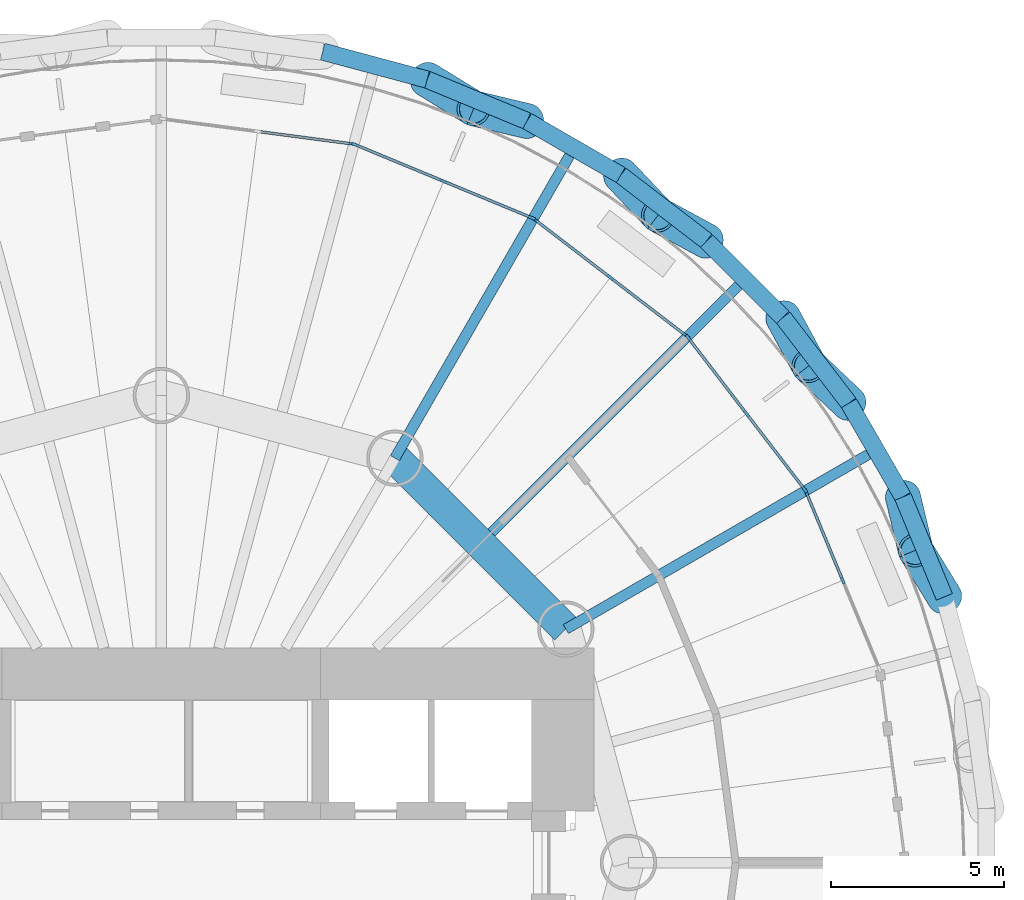
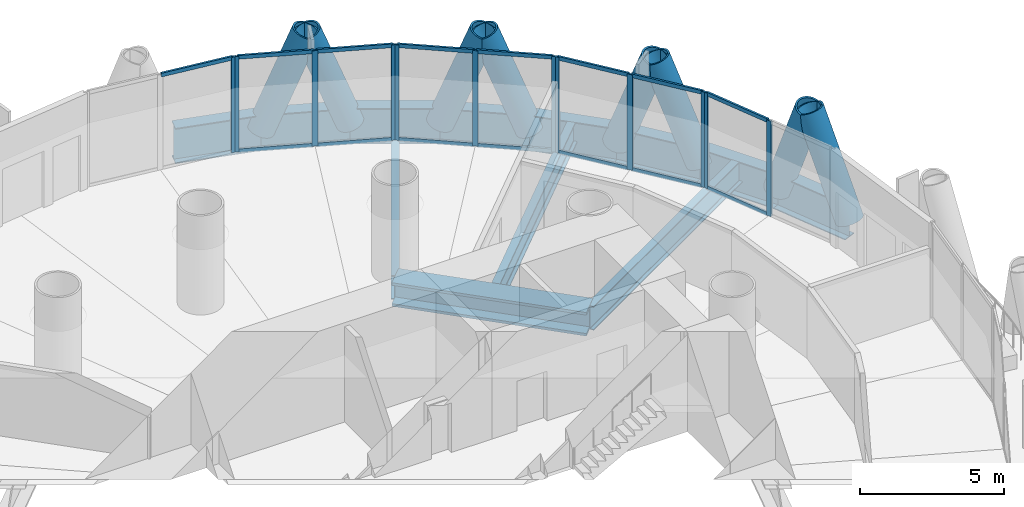
# One storey, part 7 of 15: 35 members, 12 beams, 5 elements without a shape of their own.
"""IFC4 building model written with IfcOpenShell, lengths in metres."""

from ifc_helpers import new_model, si_unit, direction, frame, origin, origin_2d, place, context, subcontext, project, spatial, rectangle, hollow_circle, i_section, extrude, material, material_profile, profile_set, type_object, element, aggregate, save


model = new_model("IFC4")

# Units and contexts
model_context = context("Model", 3, precision=1e-05, world=origin(), true_north=direction((0.0, 1.0)))
body_context = subcontext(model_context, "Body", "Model", "MODEL_VIEW")
ifc_project = project(units=[si_unit("LENGTHUNIT", "METRE"), si_unit("AREAUNIT", "SQUARE_METRE"), si_unit("VOLUMEUNIT", "CUBIC_METRE"), si_unit("PLANEANGLEUNIT", "RADIAN"), si_unit("MASSUNIT", "GRAM", prefix="KILO")], contexts=[model_context])

# Site, building, storey
site_placement = place(None, origin())
site = spatial("IfcSite", under=ifc_project, at=site_placement, CompositionType="ELEMENT")
building_placement = place(site_placement, origin())
building = spatial("IfcBuilding", under=site, at=building_placement, Name="Qaws Media Tower", CompositionType="ELEMENT")
storey_placement = place(building_placement, frame((0.0, 0.0, 198.199951171875)))
storey = spatial("IfcBuildingStorey", under=building, at=storey_placement, Name="L45", CompositionType="ELEMENT", Elevation=198.199951171875)

# Curtain wall, members
ifc_material_1 = material(Name="Aluminium and clear glass", Category="aluminium")
curtain_wall_type = type_object("IfcCurtainWallType", Name="Unitised curtain wall CW-C", PredefinedType="NOTDEFINED", material=ifc_material_1)
curtain_wall_1_placement = place(storey_placement, origin())
curtain_wall_1 = element("IfcCurtainWall", 1, at=curtain_wall_1_placement, inside=storey, type_object=curtain_wall_type, Name="CWC curtain wall L45-02", PredefinedType="NOTDEFINED")
ifc_material_2 = material(Name="Aluminium mullion", Category="aluminium")
ifc_material_profile_1 = material_profile(ifc_material_2, rectangle(XDim=0.080078125, YDim=0.199951171875, at=origin_2d()), Name="80x200")
ifc_profile_set_1 = profile_set([ifc_material_profile_1], Name="Aluminium mullion")
member_type_1 = type_object("IfcMemberType", Name="Curtain wall mullion 80x200", PredefinedType="MULLION", material=ifc_profile_set_1)
member_1_placement = place(storey_placement, frame((79.693359375, 58.1572265625, 0.0), z_axis=(0.0, 0.0, 1.0), x_axis=(-0.923879550051, -0.382683390022, 0.0)))
member_1 = element("IfcMember", 2, at=member_1_placement, type_object=member_type_1, Name="CWC mullion 2", PredefinedType="MULLION", context=body_context, shape_type="SweptSolid", body=[
    extrude(rectangle(XDim=0.080078125, YDim=0.199951171875, at=origin_2d()), origin(), (0.0, 0.0, 1.0), 4.0400390625),
])
member_2_placement = place(storey_placement, frame((78.634765625, 60.713134765625, 0.0), z_axis=(0.0, 0.0, 1.0), x_axis=(-0.923879550051, -0.382683390022, 0.0)))
member_2 = element("IfcMember", 3, at=member_2_placement, type_object=member_type_1, Name="CWC mullion 3", PredefinedType="MULLION", context=body_context, shape_type="SweptSolid", body=[
    extrude(rectangle(XDim=0.080078125, YDim=0.199951171875, at=origin_2d()), origin(), (0.0, 0.0, 1.0), 4.0400390625),
])

curtain_wall_2_placement = place(storey_placement, origin())
curtain_wall_2 = element("IfcCurtainWall", 4, at=curtain_wall_2_placement, inside=storey, type_object=curtain_wall_type, Name="CWC curtain wall L45-03", PredefinedType="NOTDEFINED")
member_3_placement = place(storey_placement, frame((78.59521484375, 60.78173828125, 0.0), z_axis=(0.0, 0.0, 1.0), x_axis=(-0.793353386998, -0.608761368139, 0.0)))
member_3 = element("IfcMember", 5, at=member_3_placement, type_object=member_type_1, Name="CWC mullion 1", PredefinedType="MULLION", context=body_context, shape_type="SweptSolid", body=[
    extrude(rectangle(XDim=0.080078125, YDim=0.199951171875, at=origin_2d()), origin(), (0.0, 0.0, 1.0), 4.0400390625),
])
member_4_placement = place(storey_placement, frame((76.9111328125, 62.976318359375, 0.0), z_axis=(0.0, 0.0, 1.0), x_axis=(-0.793353386998, -0.608761368139, 0.0)))
member_4 = element("IfcMember", 6, at=member_4_placement, type_object=member_type_1, Name="CWC mullion 2", PredefinedType="MULLION", context=body_context, shape_type="SweptSolid", body=[
    extrude(rectangle(XDim=0.080078125, YDim=0.199951171875, at=origin_2d()), origin(), (0.0, 0.0, 1.0), 4.0400390625),
])
member_5_placement = place(storey_placement, frame((75.22705078125, 65.171142578125, 0.0), z_axis=(0.0, 0.0, 1.0), x_axis=(-0.793353386998, -0.608761368139, 0.0)))
member_5 = element("IfcMember", 7, at=member_5_placement, type_object=member_type_1, Name="CWC mullion 3", PredefinedType="MULLION", context=body_context, shape_type="SweptSolid", body=[
    extrude(rectangle(XDim=0.080078125, YDim=0.199951171875, at=origin_2d()), origin(), (0.0, 0.0, 1.0), 4.0400390625),
])

curtain_wall_3_placement = place(storey_placement, origin())
curtain_wall_3 = element("IfcCurtainWall", 8, at=curtain_wall_3_placement, inside=storey, type_object=curtain_wall_type, Name="CWC curtain wall L45-04", PredefinedType="NOTDEFINED")
member_6_placement = place(storey_placement, frame((75.171142578125, 65.22705078125, 0.0), z_axis=(0.0, 0.0, 1.0), x_axis=(-0.608761368139, -0.793353386998, 0.0)))
member_6 = element("IfcMember", 9, at=member_6_placement, type_object=member_type_1, Name="CWC mullion 1", PredefinedType="MULLION", context=body_context, shape_type="SweptSolid", body=[
    extrude(rectangle(XDim=0.080078125, YDim=0.199951171875, at=origin_2d()), origin(), (0.0, 0.0, 1.0), 4.0400390625),
])
member_7_placement = place(storey_placement, frame((72.976318359375, 66.9111328125, 0.0), z_axis=(0.0, 0.0, 1.0), x_axis=(-0.608761368139, -0.793353386998, 0.0)))
member_7 = element("IfcMember", 10, at=member_7_placement, type_object=member_type_1, Name="CWC mullion 2", PredefinedType="MULLION", context=body_context, shape_type="SweptSolid", body=[
    extrude(rectangle(XDim=0.080078125, YDim=0.199951171875, at=origin_2d()), origin(), (0.0, 0.0, 1.0), 4.0400390625),
])
member_8_placement = place(storey_placement, frame((70.78173828125, 68.59521484375, 0.0), z_axis=(0.0, 0.0, 1.0), x_axis=(-0.608761368139, -0.793353386998, 0.0)))
member_8 = element("IfcMember", 11, at=member_8_placement, type_object=member_type_1, Name="CWC mullion 3", PredefinedType="MULLION", context=body_context, shape_type="SweptSolid", body=[
    extrude(rectangle(XDim=0.080078125, YDim=0.199951171875, at=origin_2d()), origin(), (0.0, 0.0, 1.0), 4.0400390625),
])

curtain_wall_4_placement = place(storey_placement, origin())
curtain_wall_4 = element("IfcCurtainWall", 12, at=curtain_wall_4_placement, inside=storey, type_object=curtain_wall_type, Name="CWC curtain wall L45-05", PredefinedType="NOTDEFINED")
member_9_placement = place(storey_placement, frame((70.713134765625, 68.634765625, 0.0), z_axis=(0.0, 0.0, 1.0), x_axis=(-0.382683390022, -0.923879550051, 0.0)))
member_9 = element("IfcMember", 13, at=member_9_placement, type_object=member_type_1, Name="CWC mullion 1", PredefinedType="MULLION", context=body_context, shape_type="SweptSolid", body=[
    extrude(rectangle(XDim=0.080078125, YDim=0.199951171875, at=origin_2d()), origin(), (0.0, 0.0, 1.0), 4.0400390625),
])
member_10_placement = place(storey_placement, frame((68.1572265625, 69.693359375, 0.0), z_axis=(0.0, 0.0, 1.0), x_axis=(-0.382683390022, -0.923879550051, 0.0)))
member_10 = element("IfcMember", 14, at=member_10_placement, type_object=member_type_1, Name="CWC mullion 2", PredefinedType="MULLION", context=body_context, shape_type="SweptSolid", body=[
    extrude(rectangle(XDim=0.080078125, YDim=0.199951171875, at=origin_2d()), origin(), (0.0, 0.0, 1.0), 4.0400390625),
])
member_11_placement = place(storey_placement, frame((65.6015625, 70.752197265625, 0.0), z_axis=(0.0, 0.0, 1.0), x_axis=(-0.382683390022, -0.923879550051, 0.0)))
member_11 = element("IfcMember", 15, at=member_11_placement, type_object=member_type_1, Name="CWC mullion 3", PredefinedType="MULLION", context=body_context, shape_type="SweptSolid", body=[
    extrude(rectangle(XDim=0.080078125, YDim=0.199951171875, at=origin_2d()), origin(), (0.0, 0.0, 1.0), 4.0400390625),
])

# Curtain wall, member
curtain_wall_5_placement = place(storey_placement, origin())
curtain_wall_5 = element("IfcCurtainWall", 16, at=curtain_wall_5_placement, inside=storey, type_object=curtain_wall_type, Name="CWC curtain wall L45-06", PredefinedType="NOTDEFINED")
member_12_placement = place(storey_placement, frame((65.52490234375, 70.772705078125, 0.0), z_axis=(0.0, 0.0, 1.0), x_axis=(-0.130526249496, -0.991444853833, 0.0)))
member_12 = element("IfcMember", 17, at=member_12_placement, type_object=member_type_1, Name="CWC mullion 1", PredefinedType="MULLION", context=body_context, shape_type="SweptSolid", body=[
    extrude(rectangle(XDim=0.080078125, YDim=0.199951171875, at=origin_2d()), origin(), (0.0, 0.0, 1.0), 4.0400390625),
])

# Member
ifc_material_3 = material(Name="Aluminium transom", Category="aluminium")
ifc_material_profile_2 = material_profile(ifc_material_3, rectangle(XDim=0.080078125, YDim=0.159912109375, at=origin_2d()), Name="80x160")
ifc_profile_set_2 = profile_set([ifc_material_profile_2], Name="Aluminium transom")
member_type_2 = type_object("IfcMemberType", Name="Curtain wall transom 80x160", PredefinedType="USERDEFINED", material=ifc_profile_set_2)
member_13_placement = place(storey_placement, frame((79.67822265625, 58.1943359375, 0.0400390625), z_axis=(-0.382723705006, 0.923862850009, 0.0), x_axis=(-0.923862850009, -0.382723705006, 0.0)))
member_13 = element("IfcMember", 18, at=member_13_placement, type_object=member_type_2, Name="CWC transom 2.1", ObjectType="TRANSOM", PredefinedType="USERDEFINED", context=body_context, shape_type="SweptSolid", body=[
    extrude(rectangle(XDim=0.080078125, YDim=0.159912109375, at=origin_2d()), origin(), (0.0, 0.0, 1.0), 2.686279296875),
])

member_14_placement = place(storey_placement, frame((79.67822265625, 58.1943359375, 4.0), z_axis=(-0.382723705006, 0.923862850009, 0.0), x_axis=(-0.923862850009, -0.382723705006, 0.0)))
member_14 = element("IfcMember", 19, at=member_14_placement, type_object=member_type_2, Name="CWC transom 2.2", ObjectType="TRANSOM", PredefinedType="USERDEFINED", context=body_context, shape_type="SweptSolid", body=[
    extrude(rectangle(XDim=0.080078125, YDim=0.159912109375, at=origin_2d()), origin(), (0.0, 0.0, 1.0), 2.686279296875),
])

aggregate(curtain_wall_1, [member_1, member_2, member_13, member_14])

member_15_placement = place(storey_placement, frame((78.57080078125, 60.8134765625, 0.0400390625), z_axis=(-0.608761584717, 0.793353220812, 0.0), x_axis=(-0.793353220812, -0.608761584717, 0.0)))
member_15 = element("IfcMember", 20, at=member_15_placement, type_object=member_type_2, Name="CWC transom 1.1", ObjectType="TRANSOM", PredefinedType="USERDEFINED", context=body_context, shape_type="SweptSolid", body=[
    extrude(rectangle(XDim=0.080078125, YDim=0.159912109375, at=origin_2d()), origin(), (0.0, 0.0, 1.0), 2.686279296875),
])

member_16_placement = place(storey_placement, frame((78.57080078125, 60.8134765625, 4.0), z_axis=(-0.608761584717, 0.793353220812, 0.0), x_axis=(-0.793353220812, -0.608761584717, 0.0)))
member_16 = element("IfcMember", 21, at=member_16_placement, type_object=member_type_2, Name="CWC transom 1.2", ObjectType="TRANSOM", PredefinedType="USERDEFINED", context=body_context, shape_type="SweptSolid", body=[
    extrude(rectangle(XDim=0.080078125, YDim=0.159912109375, at=origin_2d()), origin(), (0.0, 0.0, 1.0), 2.686279296875),
])

member_17_placement = place(storey_placement, frame((76.88671875, 63.008056640625, 0.0400390625), z_axis=(-0.608717691863, 0.793386899068, 0.0), x_axis=(-0.793386899068, -0.608717691863, 0.0)))
member_17 = element("IfcMember", 22, at=member_17_placement, type_object=member_type_2, Name="CWC transom 2.1", ObjectType="TRANSOM", PredefinedType="USERDEFINED", context=body_context, shape_type="SweptSolid", body=[
    extrude(rectangle(XDim=0.080078125, YDim=0.159912109375, at=origin_2d()), origin(), (0.0, 0.0, 1.0), 2.686279296875),
])

member_18_placement = place(storey_placement, frame((76.88671875, 63.008056640625, 4.0), z_axis=(-0.608717691863, 0.793386899068, 0.0), x_axis=(-0.793386899068, -0.608717691863, 0.0)))
member_18 = element("IfcMember", 23, at=member_18_placement, type_object=member_type_2, Name="CWC transom 2.2", ObjectType="TRANSOM", PredefinedType="USERDEFINED", context=body_context, shape_type="SweptSolid", body=[
    extrude(rectangle(XDim=0.080078125, YDim=0.159912109375, at=origin_2d()), origin(), (0.0, 0.0, 1.0), 2.686279296875),
])

aggregate(curtain_wall_2, [member_3, member_4, member_5, member_15, member_16, member_17, member_18])

member_19_placement = place(storey_placement, frame((75.139404296875, 65.25146484375, 0.0400390625), z_axis=(-0.793386899068, 0.608717691863, 0.0), x_axis=(-0.608717691863, -0.793386899068, 0.0)))
member_19 = element("IfcMember", 24, at=member_19_placement, type_object=member_type_2, Name="CWC transom 1.1", ObjectType="TRANSOM", PredefinedType="USERDEFINED", context=body_context, shape_type="SweptSolid", body=[
    extrude(rectangle(XDim=0.080078125, YDim=0.159912109375, at=origin_2d()), origin(), (0.0, 0.0, 1.0), 2.686279296875),
])

member_20_placement = place(storey_placement, frame((75.139404296875, 65.25146484375, 4.0), z_axis=(-0.793386899068, 0.608717691863, 0.0), x_axis=(-0.608717691863, -0.793386899068, 0.0)))
member_20 = element("IfcMember", 25, at=member_20_placement, type_object=member_type_2, Name="CWC transom 1.2", ObjectType="TRANSOM", PredefinedType="USERDEFINED", context=body_context, shape_type="SweptSolid", body=[
    extrude(rectangle(XDim=0.080078125, YDim=0.159912109375, at=origin_2d()), origin(), (0.0, 0.0, 1.0), 2.686279296875),
])

member_21_placement = place(storey_placement, frame((72.944580078125, 66.935546875, 0.0400390625), z_axis=(-0.793353220812, 0.608761584717, 0.0), x_axis=(-0.608761584717, -0.793353220812, 0.0)))
member_21 = element("IfcMember", 26, at=member_21_placement, type_object=member_type_2, Name="CWC transom 2.1", ObjectType="TRANSOM", PredefinedType="USERDEFINED", context=body_context, shape_type="SweptSolid", body=[
    extrude(rectangle(XDim=0.080078125, YDim=0.159912109375, at=origin_2d()), origin(), (0.0, 0.0, 1.0), 2.686279296875),
])

member_22_placement = place(storey_placement, frame((72.944580078125, 66.935546875, 4.0), z_axis=(-0.793353220812, 0.608761584717, 0.0), x_axis=(-0.608761584717, -0.793353220812, 0.0)))
member_22 = element("IfcMember", 27, at=member_22_placement, type_object=member_type_2, Name="CWC transom 2.2", ObjectType="TRANSOM", PredefinedType="USERDEFINED", context=body_context, shape_type="SweptSolid", body=[
    extrude(rectangle(XDim=0.080078125, YDim=0.159912109375, at=origin_2d()), origin(), (0.0, 0.0, 1.0), 2.686279296875),
])

aggregate(curtain_wall_3, [member_6, member_7, member_8, member_19, member_20, member_21, member_22])

member_23_placement = place(storey_placement, frame((70.676025390625, 68.650146484375, 0.0400390625), z_axis=(-0.923862850009, 0.382723705006, 0.0), x_axis=(-0.382723705006, -0.923862850009, 0.0)))
member_23 = element("IfcMember", 28, at=member_23_placement, type_object=member_type_2, Name="CWC transom 1.1", ObjectType="TRANSOM", PredefinedType="USERDEFINED", context=body_context, shape_type="SweptSolid", body=[
    extrude(rectangle(XDim=0.080078125, YDim=0.159912109375, at=origin_2d()), origin(), (0.0, 0.0, 1.0), 2.686279296875),
])

member_24_placement = place(storey_placement, frame((70.676025390625, 68.650146484375, 4.0), z_axis=(-0.923862850009, 0.382723705006, 0.0), x_axis=(-0.382723705006, -0.923862850009, 0.0)))
member_24 = element("IfcMember", 29, at=member_24_placement, type_object=member_type_2, Name="CWC transom 1.2", ObjectType="TRANSOM", PredefinedType="USERDEFINED", context=body_context, shape_type="SweptSolid", body=[
    extrude(rectangle(XDim=0.080078125, YDim=0.159912109375, at=origin_2d()), origin(), (0.0, 0.0, 1.0), 2.686279296875),
])

member_25_placement = place(storey_placement, frame((68.120361328125, 69.708740234375, 0.0400390625), z_axis=(-0.923876161176, 0.382691571386, 0.0), x_axis=(-0.382691571386, -0.923876161176, 0.0)))
member_25 = element("IfcMember", 30, at=member_25_placement, type_object=member_type_2, Name="CWC transom 2.1", ObjectType="TRANSOM", PredefinedType="USERDEFINED", context=body_context, shape_type="SweptSolid", body=[
    extrude(rectangle(XDim=0.080078125, YDim=0.159912109375, at=origin_2d()), origin(), (0.0, 0.0, 1.0), 2.6865234375),
])

member_26_placement = place(storey_placement, frame((68.120361328125, 69.708740234375, 4.0), z_axis=(-0.923876161176, 0.382691571386, 0.0), x_axis=(-0.382691571386, -0.923876161176, 0.0)))
member_26 = element("IfcMember", 31, at=member_26_placement, type_object=member_type_2, Name="CWC transom 2.2", ObjectType="TRANSOM", PredefinedType="USERDEFINED", context=body_context, shape_type="SweptSolid", body=[
    extrude(rectangle(XDim=0.080078125, YDim=0.159912109375, at=origin_2d()), origin(), (0.0, 0.0, 1.0), 2.6865234375),
])

aggregate(curtain_wall_4, [member_9, member_10, member_11, member_23, member_24, member_25, member_26])

member_27_placement = place(storey_placement, frame((65.4853515625, 70.77783203125, 4.0), z_axis=(-0.991447179301, 0.130508584607, 0.0), x_axis=(-0.130508584607, -0.991447179301, 0.0)))
member_27 = element("IfcMember", 32, at=member_27_placement, type_object=member_type_2, Name="CWC transom 1.2", ObjectType="TRANSOM", PredefinedType="USERDEFINED", context=body_context, shape_type="SweptSolid", body=[
    extrude(rectangle(XDim=0.080078125, YDim=0.159912109375, at=origin_2d()), origin(), (0.0, 0.0, 1.0), 2.686279296875),
])

aggregate(curtain_wall_5, [member_12, member_27])

# Members
ifc_material_4 = material(Name="Steel S460", Category="steel")
ifc_material_profile_3 = material_profile(ifc_material_4, hollow_circle(Radius=0.508056640625, WallThickness=0.070068359375, at=origin_2d()), Name="CHS 1016x70")
ifc_profile_set_3 = profile_set([ifc_material_profile_3], Name="Steel S460")
member_type_3 = type_object("IfcMemberType", Name="Diagrid member CHS 1016x70", PredefinedType="USERDEFINED", material=ifc_profile_set_3)
for number, where, z_axis, x_axis, name in (
    (33, (82.631591796875, 57.682373046875, -0.909912109375), (-0.184507437707, 0.300531719733, 0.935755144717), (-0.85220863007, -0.523202112796, 0.0), "DG3 diagrid L45 A02"),
    (34, (79.8720703125, 63.278076171875, -0.909912109375), (-0.255983134408, 0.24254755553, 0.935758151557), (-0.687800265926, -0.725899989111, 0.0), "DG3 diagrid L45 A03"),
    (35, (81.435302734375, 60.57080078125, -0.909912109375), (0.082026460481, -0.343009853976, 0.935743501103), (0.972577374839, 0.232579556178, 0.0), "DG3 diagrid L45 B03"),
    (36, (75.75830078125, 67.968994140625, -0.909912109375), (-0.310050534086, 0.168025631543, 0.935754269805), (-0.476462021182, -0.879195053655, 0.0), "DG3 diagrid L45 A04"),
    (37, (77.968994140625, 65.75830078125, -0.909912109375), (0.168025631543, -0.310050534086, 0.935754269805), (0.879195053655, 0.476462021182, 0.0), "DG3 diagrid L45 B04"),
    (38, (70.57080078125, 71.435302734375, -0.909912109375), (-0.343009853976, 0.082026460481, 0.935743501103), (-0.232579556178, -0.972577374839, 0.0), "DG3 diagrid L45 A05"),
    (39, (73.278076171875, 69.8720703125, -0.909912109375), (0.24254755553, -0.255983134408, 0.935758151557), (0.725899989111, 0.687800265926, 0.0), "DG3 diagrid L45 B05"),
    (40, (67.682373046875, 72.631591796875, -0.909912109375), (0.300531719733, -0.184507437707, 0.935755144717), (0.523202112796, 0.85220863007, 0.0), "DG3 diagrid L45 B06"),
):
    element("IfcMember", number, at=place(storey_placement, frame(where, z_axis=z_axis, x_axis=x_axis)), inside=storey, type_object=member_type_3, Name=name, ObjectType="DIAGRID", PredefinedType="USERDEFINED", context=body_context, shape_type="SweptSolid", body=[
        extrude(hollow_circle(Radius=0.508056640625, WallThickness=0.070068359375, at=origin_2d()), origin(), (0.0, 0.0, 1.0), 4.48828125),
    ])

# Beams
ifc_material_5 = material(Name="Steel S460", Category="steel")
ifc_material_profile_4 = material_profile(ifc_material_5, i_section(OverallWidth=0.5, OverallDepth=1.5, WebThickness=0.02001953125, FlangeThickness=0.0400390625, at=origin_2d()), Name="PG 1500x500")
ifc_profile_set_4 = profile_set([ifc_material_profile_4], Name="Steel S460")
beam_type_1 = type_object("IfcBeamType", Name="Edge ring beam PG 1500x500", PredefinedType="BEAM", material=ifc_profile_set_4)
beam_1_placement = place(storey_placement, frame((82.631591796875, 57.682373046875, -0.909912109375), z_axis=(-0.382646061572, 0.923895011115, 0.0), x_axis=(-0.923895011115, -0.382646061572, 0.0)))
element("IfcBeam", 41, at=beam_1_placement, inside=storey, type_object=beam_type_1, Name="RB4 edge ring beam L45-03", PredefinedType="BEAM", context=body_context, shape_type="SweptSolid", body=[
    extrude(i_section(OverallWidth=0.5, OverallDepth=1.5, WebThickness=0.02001953125, FlangeThickness=0.0400390625, at=origin_2d()), origin(), (0.0, 0.0, 1.0), 3.12646484375),
])
for number, where, z_axis, x_axis, name in (
    (42, (81.435302734375, 60.57080078125, -0.909912109375), (-0.500044681503, 0.86599960537, 0.0), (-0.86599960537, -0.500044681503, 0.0), "RB4 edge ring beam L45-04"),
    (43, (79.8720703125, 63.278076171875, -0.909912109375), (-0.608747918048, 0.793363707434, 0.0), (-0.793363707434, -0.608747918048, 0.0), "RB4 edge ring beam L45-05"),
):
    element("IfcBeam", number, at=place(storey_placement, frame(where, z_axis=z_axis, x_axis=x_axis)), inside=storey, type_object=beam_type_1, Name=name, PredefinedType="BEAM", context=body_context, shape_type="SweptSolid", body=[
        extrude(i_section(OverallWidth=0.5, OverallDepth=1.5, WebThickness=0.02001953125, FlangeThickness=0.0400390625, at=origin_2d()), origin(), (0.0, 0.0, 1.0), 3.126220703125),
    ])
beam_2_placement = place(storey_placement, frame((77.968994140625, 65.75830078125, -0.909912109375), z_axis=(-0.707106781187, 0.707106781187, 0.0), x_axis=(-0.707106781187, -0.707106781187, 0.0)))
element("IfcBeam", 44, at=beam_2_placement, inside=storey, type_object=beam_type_1, Name="RB4 edge ring beam L45-06", PredefinedType="BEAM", context=body_context, shape_type="SweptSolid", body=[
    extrude(i_section(OverallWidth=0.5, OverallDepth=1.5, WebThickness=0.02001953125, FlangeThickness=0.0400390625, at=origin_2d()), origin(), (0.0, 0.0, 1.0), 3.12646484375),
])
for number, where, z_axis, x_axis, name in (
    (45, (75.75830078125, 67.968994140625, -0.909912109375), (-0.793363707434, 0.608747918048, 0.0), (-0.608747918048, -0.793363707434, 0.0), "RB4 edge ring beam L45-07"),
    (46, (73.278076171875, 69.8720703125, -0.909912109375), (-0.86599960537, 0.500044681503, 0.0), (-0.500044681503, -0.86599960537, 0.0), "RB4 edge ring beam L45-08"),
):
    element("IfcBeam", number, at=place(storey_placement, frame(where, z_axis=z_axis, x_axis=x_axis)), inside=storey, type_object=beam_type_1, Name=name, PredefinedType="BEAM", context=body_context, shape_type="SweptSolid", body=[
        extrude(i_section(OverallWidth=0.5, OverallDepth=1.5, WebThickness=0.02001953125, FlangeThickness=0.0400390625, at=origin_2d()), origin(), (0.0, 0.0, 1.0), 3.126220703125),
    ])
beam_3_placement = place(storey_placement, frame((70.57080078125, 71.435302734375, -0.909912109375), z_axis=(-0.923895011115, 0.382646061572, 0.0), x_axis=(-0.382646061572, -0.923895011115, 0.0)))
element("IfcBeam", 47, at=beam_3_placement, inside=storey, type_object=beam_type_1, Name="RB4 edge ring beam L45-09", PredefinedType="BEAM", context=body_context, shape_type="SweptSolid", body=[
    extrude(i_section(OverallWidth=0.5, OverallDepth=1.5, WebThickness=0.02001953125, FlangeThickness=0.0400390625, at=origin_2d()), origin(), (0.0, 0.0, 1.0), 3.12646484375),
])
beam_4_placement = place(storey_placement, frame((67.682373046875, 72.631591796875, -0.909912109375), z_axis=(-0.965930971662, 0.258799841546, 0.0), x_axis=(-0.258799841546, -0.965930971662, 0.0)))
element("IfcBeam", 48, at=beam_4_placement, inside=storey, type_object=beam_type_1, Name="RB4 edge ring beam L45-10", PredefinedType="BEAM", context=body_context, shape_type="SweptSolid", body=[
    extrude(i_section(OverallWidth=0.5, OverallDepth=1.5, WebThickness=0.02001953125, FlangeThickness=0.0400390625, at=origin_2d()), origin(), (0.0, 0.0, 1.0), 3.126220703125),
])
ifc_material_6 = material(Name="Steel S460", Category="steel")
ifc_material_profile_5 = material_profile(ifc_material_6, i_section(OverallWidth=0.89990234375, OverallDepth=1.0, WebThickness=0.044921875, FlangeThickness=0.110107421875, at=origin_2d()), Name="PG 1000x900")
ifc_profile_set_5 = profile_set([ifc_material_profile_5], Name="Steel S460")
beam_type_2 = type_object("IfcBeamType", Name="Inner ring girder PG 1000x900", PredefinedType="BEAM", material=ifc_profile_set_5)
beam_5_placement = place(storey_placement, frame((71.69140625, 56.75, -0.659912109375), z_axis=(-0.707106781187, 0.707106781187, 0.0), x_axis=(-0.707106781187, -0.707106781187, 0.0)))
element("IfcBeam", 49, at=beam_5_placement, inside=storey, type_object=beam_type_2, Name="B3 inner ring beam L45 I02-I03", PredefinedType="BEAM", context=body_context, shape_type="SweptSolid", body=[
    extrude(i_section(OverallWidth=0.89990234375, OverallDepth=1.0, WebThickness=0.044921875, FlangeThickness=0.110107421875, at=origin_2d()), origin(), (0.0, 0.0, 1.0), 6.98828125),
])
ifc_material_7 = material(Name="Steel S355", Category="steel")
ifc_material_profile_6 = material_profile(ifc_material_7, i_section(OverallWidth=0.302001953125, OverallDepth=1.008056640625, WebThickness=0.02099609375, FlangeThickness=0.0400390625, FilletRadius=0.030029296875, at=origin_2d()), Name="HE 1000 M")
ifc_profile_set_6 = profile_set([ifc_material_profile_6], Name="Steel S355")
beam_type_3 = type_object("IfcBeamType", Name="Radial beam HE 1000 M", PredefinedType="BEAM", material=ifc_profile_set_6)
beam_6_placement = place(storey_placement, frame((71.69140625, 56.75, -0.6640625), z_axis=(0.866030801295, 0.499990651121, 0.0), x_axis=(-0.499990651121, 0.866030801295, 0.0)))
element("IfcBeam", 50, at=beam_6_placement, inside=storey, type_object=beam_type_3, Name="B1 radial beam L45 03", PredefinedType="BEAM", context=body_context, shape_type="SweptSolid", body=[
    extrude(i_section(OverallWidth=0.302001953125, OverallDepth=1.008056640625, WebThickness=0.02099609375, FlangeThickness=0.0400390625, FilletRadius=0.030029296875, at=origin_2d()), origin(), (0.0, 0.0, 1.0), 10.348876953125),
])
beam_7_placement = place(storey_placement, frame((69.538818359375, 59.538818359375, -0.6640625), z_axis=(0.707106781187, 0.707106781187, 0.0), x_axis=(-0.707106781187, 0.707106781187, 0.0)))
element("IfcBeam", 51, at=beam_7_placement, inside=storey, type_object=beam_type_3, Name="B1 radial beam L45 04", PredefinedType="BEAM", context=body_context, shape_type="SweptSolid", body=[
    extrude(i_section(OverallWidth=0.302001953125, OverallDepth=1.008056640625, WebThickness=0.02099609375, FlangeThickness=0.0400390625, FilletRadius=0.030029296875, at=origin_2d()), origin(), (0.0, 0.0, 1.0), 10.359130859375),
])
beam_8_placement = place(storey_placement, frame((66.75, 61.69140625, -0.6640625), z_axis=(0.499990651121, 0.866030801295, 0.0), x_axis=(-0.866030801295, 0.499990651121, 0.0)))
element("IfcBeam", 52, at=beam_8_placement, inside=storey, type_object=beam_type_3, Name="B1 radial beam L45 05", PredefinedType="BEAM", context=body_context, shape_type="SweptSolid", body=[
    extrude(i_section(OverallWidth=0.302001953125, OverallDepth=1.008056640625, WebThickness=0.02099609375, FlangeThickness=0.0400390625, FilletRadius=0.030029296875, at=origin_2d()), origin(), (0.0, 0.0, 1.0), 10.348876953125),
])

save(model, "model.ifc")
